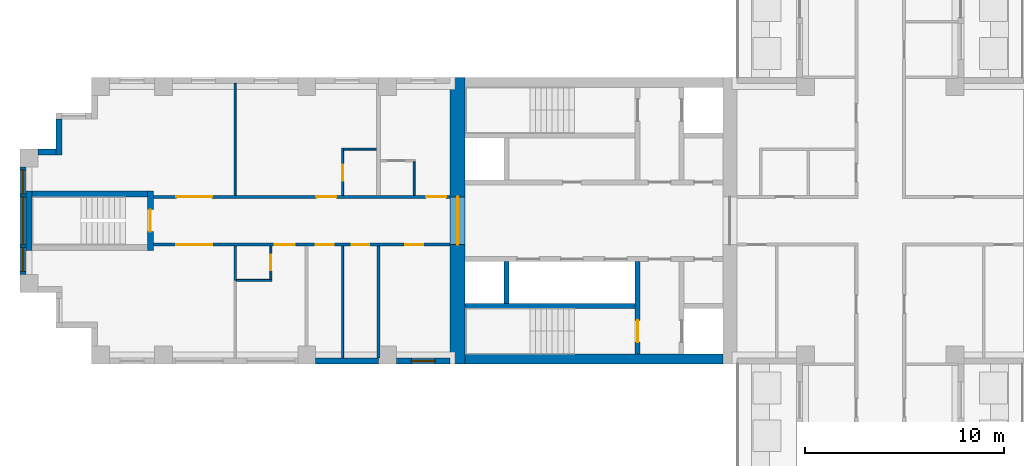
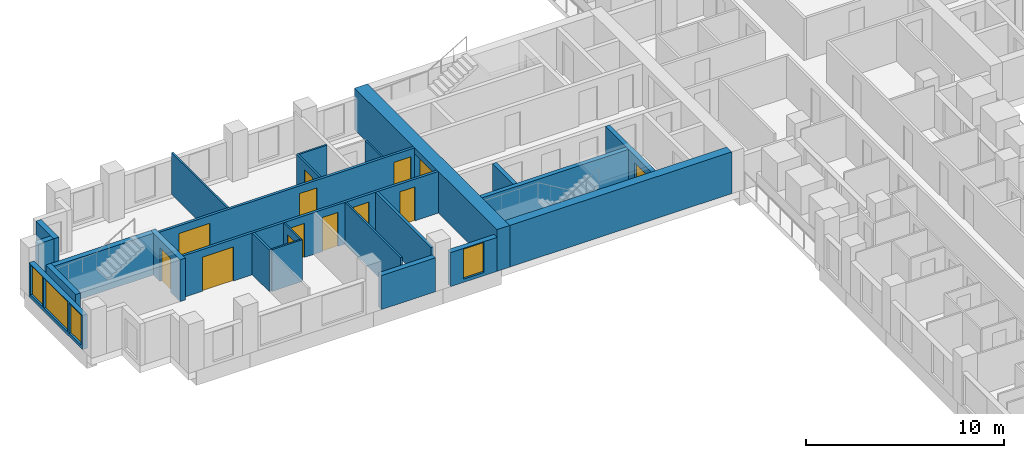
# One storey, part 6 of 14: 24 walls, 13 doors, 4 windows, 17 openings.
"""IFC4 building model written with IfcOpenShell, lengths in metres."""

from ifc_helpers import new_model, si_unit, direction, frame, frame_2d, origin, place, context, subcontext, project, spatial, rectangle, extrude, material, layer, layer_set, type_object, element, fill, save


model = new_model("IFC4")

# Units and contexts
model_context = context("Model", 3, precision=1e-05, world=origin(), true_north=direction((0.0, 1.0)))
body_context = subcontext(model_context, "Body", "Model", "MODEL_VIEW")
ifc_project = project(units=[si_unit("LENGTHUNIT", "METRE"), si_unit("AREAUNIT", "SQUARE_METRE"), si_unit("VOLUMEUNIT", "CUBIC_METRE"), si_unit("PLANEANGLEUNIT", "RADIAN"), si_unit("MASSUNIT", "GRAM", prefix="KILO")], contexts=[model_context])

# Site, building, storey
site_placement = place(None, origin())
site = spatial("IfcSite", under=ifc_project, at=site_placement, CompositionType="ELEMENT")
building_placement = place(site_placement, origin())
building = spatial("IfcBuilding", under=site, at=building_placement, Name="Fustian Cross Tower", CompositionType="ELEMENT")
storey_placement = place(building_placement, frame((0.0, 0.0, 69.89990234375)))
storey = spatial("IfcBuildingStorey", under=building, at=storey_placement, Name="L21", CompositionType="ELEMENT", Elevation=69.89990234375)

# Wall, openings, doors
ifc_material_1 = material(Name="Plasterboard on steel stud", Category="steel")
ifc_layer_1 = layer(ifc_material_1, 0.14990234375)
ifc_layer_set_1 = layer_set([ifc_layer_1], Name="Plasterboard on steel stud")
wall_type_1 = type_object("IfcWallType", Name="COMPARTMENT WALL 150 EI 60", PredefinedType="PARTITIONING", material=ifc_layer_set_1)
wall_1_placement = place(storey_placement, frame((-36.5, -1.199951171875, 0.0), z_axis=(0.0, 0.0, 1.0), x_axis=(1.0, 0.0, 0.0)))
wall_1 = element("IfcWall", 1, at=wall_1_placement, inside=storey, type_object=wall_type_1, Name="Partition 1", PredefinedType="PARTITIONING", context=body_context, shape_type="SweptSolid", body=[
    extrude(rectangle(XDim=14.89990234375, YDim=0.14990234375, at=frame_2d((7.449951171875, 0.0))), origin(), (0.0, 0.0, 1.0), 2.5751953125),
])
opening_1_placement = place(wall_1_placement, frame((12.64990234375, 0.0, 0.0)))
opening_1 = element("IfcOpeningElement", 2, at=opening_1_placement, cuts=wall_1, Name="Opening D11025", PredefinedType="OPENING", context=body_context, shape_type="SweptSolid", body=[
    extrude(rectangle(XDim=0.89990234375, YDim=2.10009765625, at=frame_2d((0.449951171875, 1.050048828125))), frame((0.0, 0.0849609375, 0.0), z_axis=(0.0, -1.0, 0.0), x_axis=(1.0, 0.0, 0.0)), (0.0, 0.0, 1.0), 0.169921875),
])
opening_2_placement = place(wall_1_placement, frame((9.949951171875, 0.0, 0.0)))
opening_2 = element("IfcOpeningElement", 3, at=opening_2_placement, cuts=wall_1, Name="Opening D11026", PredefinedType="OPENING", context=body_context, shape_type="SweptSolid", body=[
    extrude(rectangle(XDim=0.89990234375, YDim=2.10009765625, at=frame_2d((0.449951171875, 1.050048828125))), frame((0.0, 0.0849609375, 0.0), z_axis=(0.0, -1.0, 0.0), x_axis=(1.0, 0.0, 0.0)), (0.0, 0.0, 1.0), 0.169921875),
])
opening_3_placement = place(wall_1_placement, frame((8.14990234375, 0.0, 0.0)))
opening_3 = element("IfcOpeningElement", 4, at=opening_3_placement, cuts=wall_1, Name="Opening D11027", PredefinedType="OPENING", context=body_context, shape_type="SweptSolid", body=[
    extrude(rectangle(XDim=0.89990234375, YDim=2.10009765625, at=frame_2d((0.449951171875, 1.050048828125))), frame((0.0, 0.0849609375, 0.0), z_axis=(0.0, -1.0, 0.0), x_axis=(1.0, 0.0, 0.0)), (0.0, 0.0, 1.0), 0.169921875),
])
opening_4_placement = place(wall_1_placement, frame((6.10009765625, 0.0, 0.0)))
opening_4 = element("IfcOpeningElement", 5, at=opening_4_placement, cuts=wall_1, Name="Opening D11029", PredefinedType="OPENING", context=body_context, shape_type="SweptSolid", body=[
    extrude(rectangle(XDim=1.0, YDim=2.10009765625, at=frame_2d((0.5, 1.050048828125))), frame((0.0, 0.0849609375, 0.0), z_axis=(0.0, -1.0, 0.0), x_axis=(1.0, 0.0, 0.0)), (0.0, 0.0, 1.0), 0.169921875),
])
opening_5_placement = place(wall_1_placement, frame((1.14990234375, 0.0, 0.0)))
opening_5 = element("IfcOpeningElement", 6, at=opening_5_placement, cuts=wall_1, Name="Opening D11030", PredefinedType="OPENING", context=body_context, shape_type="SweptSolid", body=[
    extrude(rectangle(XDim=1.800048828125, YDim=2.10009765625, at=frame_2d((0.89990234375, 1.050048828125))), frame((0.0, 0.0849609375, 0.0), z_axis=(0.0, -1.0, 0.0), x_axis=(1.0, 0.0, 0.0)), (0.0, 0.0, 1.0), 0.169921875),
])
ifc_material_2 = material(Name="Timber fire door set", Category="wood")
door_type_1 = type_object("IfcDoorType", Name="FIRE DOUBLE DOOR 1800 FD30S", OperationType="DOUBLE_DOOR_DOUBLE_SWING", PredefinedType="DOOR", material=ifc_material_2)
door_1_placement = place(opening_5_placement, origin())
door_1 = element("IfcDoor", 7, at=door_1_placement, inside=storey, type_object=door_type_1, Name="Door D11030", OperationType="DOUBLE_DOOR_DOUBLE_SWING", OverallHeight=2.10009765625, OverallWidth=1.800048828125, PredefinedType="DOOR", context=body_context, shape_type="SweptSolid", body=[
    extrude(rectangle(XDim=1.800048828125, YDim=2.10009765625, at=frame_2d((0.89990234375, 1.050048828125))), frame((0.0, 0.02490234375, 0.0), z_axis=(0.0, -1.0, 0.0), x_axis=(1.0, 0.0, 0.0)), (0.0, 0.0, 1.0), 0.050048828125),
])
fill(opening_5, door_1)
ifc_material_3 = material(Name="Timber fire door set", Category="wood")
door_type_2 = type_object("IfcDoorType", Name="FIRE SWING DOOR 1000 FD30S", OperationType="SINGLE_SWING_LEFT", PredefinedType="DOOR", material=ifc_material_3)
door_2_placement = place(opening_4_placement, frame((1.0, 0.0, 0.0), z_axis=(0.0, 0.0, 1.0), x_axis=(-1.0, 0.0, 0.0)))
door_2 = element("IfcDoor", 8, at=door_2_placement, inside=storey, type_object=door_type_2, Name="Door D11029", OperationType="SINGLE_SWING_RIGHT", OverallHeight=2.10009765625, OverallWidth=1.0, PredefinedType="DOOR", context=body_context, shape_type="SweptSolid", body=[
    extrude(rectangle(XDim=1.0, YDim=2.10009765625, at=frame_2d((0.5, 1.050048828125))), frame((0.0, 0.02490234375, 0.0), z_axis=(0.0, -1.0, 0.0), x_axis=(1.0, 0.0, 0.0)), (0.0, 0.0, 1.0), 0.050048828125),
])
fill(opening_4, door_2)
ifc_material_4 = material(Name="Timber fire door set", Category="wood")
door_type_3 = type_object("IfcDoorType", Name="FIRE SWING DOOR 900 FD30S", OperationType="SINGLE_SWING_LEFT", PredefinedType="DOOR", material=ifc_material_4)
door_3_placement = place(opening_1_placement, frame((0.89990234375, 0.0, 0.0), z_axis=(0.0, 0.0, 1.0), x_axis=(-1.0, 0.0, 0.0)))
door_3 = element("IfcDoor", 9, at=door_3_placement, inside=storey, type_object=door_type_3, Name="Door D11025", OperationType="SINGLE_SWING_RIGHT", OverallHeight=2.10009765625, OverallWidth=0.89990234375, PredefinedType="DOOR", context=body_context, shape_type="SweptSolid", body=[
    extrude(rectangle(XDim=0.89990234375, YDim=2.10009765625, at=frame_2d((0.449951171875, 1.050048828125))), frame((0.0, 0.02490234375, 0.0), z_axis=(0.0, -1.0, 0.0), x_axis=(1.0, 0.0, 0.0)), (0.0, 0.0, 1.0), 0.050048828125),
])
fill(opening_1, door_3)
door_4_placement = place(opening_2_placement, frame((0.89990234375, 0.0, 0.0), z_axis=(0.0, 0.0, 1.0), x_axis=(-1.0, 0.0, 0.0)))
door_4 = element("IfcDoor", 10, at=door_4_placement, inside=storey, type_object=door_type_3, Name="Door D11026", OperationType="SINGLE_SWING_LEFT", OverallHeight=2.10009765625, OverallWidth=0.89990234375, PredefinedType="DOOR", context=body_context, shape_type="SweptSolid", body=[
    extrude(rectangle(XDim=0.89990234375, YDim=2.10009765625, at=frame_2d((0.449951171875, 1.050048828125))), frame((0.0, 0.02490234375, 0.0), z_axis=(0.0, -1.0, 0.0), x_axis=(1.0, 0.0, 0.0)), (0.0, 0.0, 1.0), 0.050048828125),
])
fill(opening_2, door_4)
door_5_placement = place(opening_3_placement, frame((0.89990234375, 0.0, 0.0), z_axis=(0.0, 0.0, 1.0), x_axis=(-1.0, 0.0, 0.0)))
door_5 = element("IfcDoor", 11, at=door_5_placement, inside=storey, type_object=door_type_3, Name="Door D11027", OperationType="SINGLE_SWING_LEFT", OverallHeight=2.10009765625, OverallWidth=0.89990234375, PredefinedType="DOOR", context=body_context, shape_type="SweptSolid", body=[
    extrude(rectangle(XDim=0.89990234375, YDim=2.10009765625, at=frame_2d((0.449951171875, 1.050048828125))), frame((0.0, 0.02490234375, 0.0), z_axis=(0.0, -1.0, 0.0), x_axis=(1.0, 0.0, 0.0)), (0.0, 0.0, 1.0), 0.050048828125),
])
fill(opening_3, door_5)

wall_2_placement = place(storey_placement, frame((-36.5, 1.199951171875, 0.0), z_axis=(0.0, 0.0, 1.0), x_axis=(1.0, 0.0, 0.0)))
wall_2 = element("IfcWall", 12, at=wall_2_placement, inside=storey, type_object=wall_type_1, Name="Partition 2", PredefinedType="PARTITIONING", context=body_context, shape_type="SweptSolid", body=[
    extrude(rectangle(XDim=14.89990234375, YDim=0.14990234375, at=frame_2d((7.449951171875, 0.0))), origin(), (0.0, 0.0, 1.0), 2.5751953125),
])
opening_6_placement = place(wall_2_placement, frame((13.699951171875, 0.0, 0.0)))
opening_6 = element("IfcOpeningElement", 13, at=opening_6_placement, cuts=wall_2, Name="Opening D11032", PredefinedType="OPENING", context=body_context, shape_type="SweptSolid", body=[
    extrude(rectangle(XDim=1.0, YDim=2.10009765625, at=frame_2d((0.5, 1.050048828125))), frame((0.0, 0.0849609375, 0.0), z_axis=(0.0, -1.0, 0.0), x_axis=(1.0, 0.0, 0.0)), (0.0, 0.0, 1.0), 0.169921875),
])
opening_7_placement = place(wall_2_placement, frame((8.18994140625, 0.0, 0.0)))
opening_7 = element("IfcOpeningElement", 14, at=opening_7_placement, cuts=wall_2, Name="Opening D11034", PredefinedType="OPENING", context=body_context, shape_type="SweptSolid", body=[
    extrude(rectangle(XDim=1.0, YDim=2.10009765625, at=frame_2d((0.5, 1.050048828125))), frame((0.0, 0.0849609375, 0.0), z_axis=(0.0, -1.0, 0.0), x_axis=(1.0, 0.0, 0.0)), (0.0, 0.0, 1.0), 0.169921875),
])
opening_8_placement = place(wall_2_placement, frame((1.14990234375, 0.0, 0.0)))
opening_8 = element("IfcOpeningElement", 15, at=opening_8_placement, cuts=wall_2, Name="Opening D11035", PredefinedType="OPENING", context=body_context, shape_type="SweptSolid", body=[
    extrude(rectangle(XDim=1.800048828125, YDim=2.10009765625, at=frame_2d((0.89990234375, 1.050048828125))), frame((0.0, 0.0849609375, 0.0), z_axis=(0.0, -1.0, 0.0), x_axis=(1.0, 0.0, 0.0)), (0.0, 0.0, 1.0), 0.169921875),
])
door_6_placement = place(opening_8_placement, frame((1.800048828125, 0.0, 0.0), z_axis=(0.0, 0.0, 1.0), x_axis=(-1.0, 0.0, 0.0)))
door_6 = element("IfcDoor", 16, at=door_6_placement, inside=storey, type_object=door_type_1, Name="Door D11035", OperationType="DOUBLE_DOOR_DOUBLE_SWING", OverallHeight=2.10009765625, OverallWidth=1.800048828125, PredefinedType="DOOR", context=body_context, shape_type="SweptSolid", body=[
    extrude(rectangle(XDim=1.800048828125, YDim=2.10009765625, at=frame_2d((0.89990234375, 1.050048828125))), frame((0.0, 0.02490234375, 0.0), z_axis=(0.0, -1.0, 0.0), x_axis=(1.0, 0.0, 0.0)), (0.0, 0.0, 1.0), 0.050048828125),
])
fill(opening_8, door_6)
door_7_placement = place(opening_6_placement, origin())
door_7 = element("IfcDoor", 17, at=door_7_placement, inside=storey, type_object=door_type_2, Name="Door D11032", OperationType="SINGLE_SWING_RIGHT", OverallHeight=2.10009765625, OverallWidth=1.0, PredefinedType="DOOR", context=body_context, shape_type="SweptSolid", body=[
    extrude(rectangle(XDim=1.0, YDim=2.10009765625, at=frame_2d((0.5, 1.050048828125))), frame((0.0, 0.02490234375, 0.0), z_axis=(0.0, -1.0, 0.0), x_axis=(1.0, 0.0, 0.0)), (0.0, 0.0, 1.0), 0.050048828125),
])
fill(opening_6, door_7)
door_8_placement = place(opening_7_placement, origin())
door_8 = element("IfcDoor", 18, at=door_8_placement, inside=storey, type_object=door_type_2, Name="Door D11034", OperationType="SINGLE_SWING_RIGHT", OverallHeight=2.10009765625, OverallWidth=1.0, PredefinedType="DOOR", context=body_context, shape_type="SweptSolid", body=[
    extrude(rectangle(XDim=1.0, YDim=2.10009765625, at=frame_2d((0.5, 1.050048828125))), frame((0.0, 0.02490234375, 0.0), z_axis=(0.0, -1.0, 0.0), x_axis=(1.0, 0.0, 0.0)), (0.0, 0.0, 1.0), 0.050048828125),
])
fill(opening_7, door_8)

# Wall
wall_3_placement = place(storey_placement, frame((-25.199951171875, -6.89990234375, 0.0), z_axis=(0.0, 0.0, 1.0), x_axis=(0.0, 1.0, 0.0)))
element("IfcWall", 19, at=wall_3_placement, inside=storey, type_object=wall_type_1, Name="Partition 12", PredefinedType="PARTITIONING", context=body_context, shape_type="SweptSolid", body=[
    extrude(rectangle(XDim=5.625, YDim=0.14990234375, at=frame_2d((2.8125, 0.0))), origin(), (0.0, 0.0, 1.0), 2.5751953125),
])

# Wall, opening, door
ifc_material_5 = material(Name="Concrete C70/85", Category="concrete")
ifc_layer_2 = layer(ifc_material_5, 0.75)
ifc_layer_set_2 = layer_set([ifc_layer_2], Name="Concrete C70/85")
wall_type_2 = type_object("IfcWallType", Name="CORE END WALL 750 C70/85", PredefinedType="SHEAR", material=ifc_layer_set_2)
wall_4_placement = place(storey_placement, frame((-21.22509765625, -7.199951171875, 0.0), z_axis=(0.0, 0.0, 1.0), x_axis=(0.0, 1.0, 0.0)))
wall_4 = element("IfcWall", 20, at=wall_4_placement, inside=storey, type_object=wall_type_2, Name="Core end wall", PredefinedType="SHEAR", context=body_context, shape_type="SweptSolid", body=[
    extrude(rectangle(XDim=14.39990234375, YDim=0.75, at=frame_2d((7.199951171875, 0.0))), origin(), (0.0, 0.0, 1.0), 2.5751953125),
])
opening_9_placement = place(wall_4_placement, frame((6.0, 0.0, 0.0)))
opening_9 = element("IfcOpeningElement", 21, at=opening_9_placement, cuts=wall_4, Name="Opening CD-09-27", PredefinedType="OPENING", context=body_context, shape_type="SweptSolid", body=[
    extrude(rectangle(XDim=2.39990234375, YDim=2.199951171875, at=frame_2d((1.199951171875, 1.10009765625))), frame((0.0, 0.385009765625, 0.0), z_axis=(0.0, -1.0, 0.0), x_axis=(1.0, 0.0, 0.0)), (0.0, 0.0, 1.0), 0.77001953125),
])
ifc_material_6 = material(Name="Steel", Category="steel")
door_type_4 = type_object("IfcDoorType", Name="FIRE DOOR FD30S DOUBLE 2400X2200", OperationType="DOUBLE_DOOR_DOUBLE_SWING", PredefinedType="DOOR", material=ifc_material_6)
door_9_placement = place(opening_9_placement, frame((2.39990234375, 0.0, 0.0), z_axis=(0.0, 0.0, 1.0), x_axis=(-1.0, 0.0, 0.0)))
door_9 = element("IfcDoor", 22, at=door_9_placement, inside=storey, type_object=door_type_4, Name="Core door CD-09-27", OperationType="DOUBLE_DOOR_DOUBLE_SWING", OverallHeight=2.199951171875, OverallWidth=2.39990234375, PredefinedType="DOOR", context=body_context, shape_type="SweptSolid", body=[
    extrude(rectangle(XDim=2.39990234375, YDim=2.199951171875, at=frame_2d((1.199951171875, 1.10009765625))), frame((0.0, 0.02490234375, 0.0), z_axis=(0.0, -1.0, 0.0), x_axis=(1.0, 0.0, 0.0)), (0.0, 0.0, 1.0), 0.050048828125),
])
fill(opening_9, door_9)

# Walls
ifc_material_7 = material(Name="Concrete C70/85", Category="concrete")
ifc_layer_3 = layer(ifc_material_7, 0.5)
ifc_layer_set_3 = layer_set([ifc_layer_3], Name="Concrete C70/85")
wall_type_3 = type_object("IfcWallType", Name="CORE FACADE WALL 500 C70/85", PredefinedType="SHEAR", material=ifc_layer_set_3)
wall_5_placement = place(storey_placement, frame((-7.89990234375, -6.949951171875, 0.0), z_axis=(0.0, 0.0, 1.0), x_axis=(-1.0, 0.0, 0.0)))
element("IfcWall", 23, at=wall_5_placement, inside=storey, type_object=wall_type_3, Name="Core facade wall", PredefinedType="SHEAR", context=body_context, shape_type="SweptSolid", body=[
    extrude(rectangle(XDim=12.9501953125, YDim=0.5, at=frame_2d((6.47509765625, 0.0))), origin(), (0.0, 0.0, 1.0), 2.5751953125),
])
ifc_material_8 = material(Name="Concrete C50/60", Category="concrete")
ifc_layer_4 = layer(ifc_material_8, 0.25)
ifc_layer_set_4 = layer_set([ifc_layer_4], Name="Concrete C50/60")
wall_type_4 = type_object("IfcWallType", Name="CORE SHAFT WALL 250 C50/60", PredefinedType="SHEAR", material=ifc_layer_set_4)
wall_6_placement = place(storey_placement, frame((-12.300048828125, -4.27490234375, 0.0), z_axis=(0.0, 0.0, 1.0), x_axis=(-1.0, 0.0, 0.0)))
element("IfcWall", 24, at=wall_6_placement, inside=storey, type_object=wall_type_4, Name="Core shaft wall", PredefinedType="SHEAR", context=body_context, shape_type="SweptSolid", body=[
    extrude(rectangle(XDim=8.550048828125, YDim=0.25, at=frame_2d((4.27490234375, 0.0))), origin(), (0.0, 0.0, 1.0), 2.5751953125),
])

# Wall, opening, door
wall_7_placement = place(storey_placement, frame((-12.175048828125, -2.050048828125, 0.0), z_axis=(0.0, 0.0, 1.0), x_axis=(0.0, -1.0, 0.0)))
wall_7 = element("IfcWall", 25, at=wall_7_placement, inside=storey, type_object=wall_type_4, Name="Core shaft wall", PredefinedType="SHEAR", context=body_context, shape_type="SweptSolid", body=[
    extrude(rectangle(XDim=4.64990234375, YDim=0.25, at=frame_2d((2.324951171875, 0.0))), origin(), (0.0, 0.0, 1.0), 2.5751953125),
])
opening_10_placement = place(wall_7_placement, frame((2.949951171875, 0.0, 0.0)))
opening_10 = element("IfcOpeningElement", 26, at=opening_10_placement, cuts=wall_7, Name="Opening CD-09-21", PredefinedType="OPENING", context=body_context, shape_type="SweptSolid", body=[
    extrude(rectangle(XDim=1.10009765625, YDim=2.10009765625, at=frame_2d((0.550048828125, 1.050048828125))), frame((0.0, 0.135009765625, 0.0), z_axis=(0.0, -1.0, 0.0), x_axis=(1.0, 0.0, 0.0)), (0.0, 0.0, 1.0), 0.27001953125),
])
ifc_material_9 = material(Name="Steel", Category="steel")
door_type_5 = type_object("IfcDoorType", Name="FIRE DOOR FD60S 1100X2100", OperationType="SINGLE_SWING_LEFT", PredefinedType="DOOR", material=ifc_material_9)
door_10_placement = place(opening_10_placement, frame((1.10009765625, 0.0, 0.0), z_axis=(0.0, 0.0, 1.0), x_axis=(-1.0, 0.0, 0.0)))
door_10 = element("IfcDoor", 27, at=door_10_placement, inside=storey, type_object=door_type_5, Name="Core door CD-09-21", OperationType="SINGLE_SWING_RIGHT", OverallHeight=2.10009765625, OverallWidth=1.10009765625, PredefinedType="DOOR", context=body_context, shape_type="SweptSolid", body=[
    extrude(rectangle(XDim=1.10009765625, YDim=2.10009765625, at=frame_2d((0.550048828125, 1.050048828125))), frame((0.0, 0.02490234375, 0.0), z_axis=(0.0, -1.0, 0.0), x_axis=(1.0, 0.0, 0.0)), (0.0, 0.0, 1.0), 0.050048828125),
])
fill(opening_10, door_10)

# Walls
ifc_material_10 = material(Name="Plasterboard on steel stud", Category="steel")
ifc_layer_5 = layer(ifc_material_10, 0.10009765625)
ifc_layer_set_5 = layer_set([ifc_layer_5], Name="Plasterboard on steel stud")
wall_type_5 = type_object("IfcWallType", Name="PARTITION 100 STUD", PredefinedType="PARTITIONING", material=ifc_layer_set_5)
wall_8_placement = place(storey_placement, frame((-32.33740234375, -3.0, 0.0), z_axis=(0.0, 0.0, 1.0), x_axis=(1.0, 0.0, 0.0)))
element("IfcWall", 28, at=wall_8_placement, inside=storey, type_object=wall_type_5, Name="Partition 5", PredefinedType="PARTITIONING", context=body_context, shape_type="SweptSolid", body=[
    extrude(rectangle(XDim=1.787353515625, YDim=0.10009765625, at=frame_2d((0.8935546875, 0.0))), origin(), (0.0, 0.0, 1.0), 2.5751953125),
])
wall_9_placement = place(storey_placement, frame((-32.39990234375, 1.27490234375, 0.0), z_axis=(0.0, 0.0, 1.0), x_axis=(0.0, 1.0, 0.0)))
element("IfcWall", 29, at=wall_9_placement, inside=storey, type_object=wall_type_5, Name="Partition 6", PredefinedType="PARTITIONING", context=body_context, shape_type="SweptSolid", body=[
    extrude(rectangle(XDim=5.625, YDim=0.10009765625, at=frame_2d((2.8125, 0.0))), origin(), (0.0, 0.0, 1.0), 2.5751953125),
])

# Wall, opening, door
wall_10_placement = place(storey_placement, frame((-30.60009765625, -2.949951171875, 0.0), z_axis=(0.0, 0.0, 1.0), x_axis=(0.0, 1.0, 0.0)))
wall_10 = element("IfcWall", 30, at=wall_10_placement, inside=storey, type_object=wall_type_5, Name="Partition 7", PredefinedType="PARTITIONING", context=body_context, shape_type="SweptSolid", body=[
    extrude(rectangle(XDim=1.675048828125, YDim=0.10009765625, at=frame_2d((0.83740234375, 0.0))), origin(), (0.0, 0.0, 1.0), 2.5751953125),
])
opening_11_placement = place(wall_10_placement, frame((0.449951171875, 0.0, 0.0)))
opening_11 = element("IfcOpeningElement", 31, at=opening_11_placement, cuts=wall_10, Name="Opening D11028", PredefinedType="OPENING", context=body_context, shape_type="SweptSolid", body=[
    extrude(rectangle(XDim=0.800048828125, YDim=2.10009765625, at=frame_2d((0.39990234375, 1.050048828125))), frame((0.0, 0.06005859375, 0.0), z_axis=(0.0, -1.0, 0.0), x_axis=(1.0, 0.0, 0.0)), (0.0, 0.0, 1.0), 0.1201171875),
])
ifc_material_11 = material(Name="Painted timber", Category="wood")
door_type_6 = type_object("IfcDoorType", Name="SWING DOOR 800", OperationType="SINGLE_SWING_LEFT", PredefinedType="DOOR", material=ifc_material_11)
door_11_placement = place(opening_11_placement, origin())
door_11 = element("IfcDoor", 32, at=door_11_placement, inside=storey, type_object=door_type_6, Name="Door D11028", OperationType="SINGLE_SWING_RIGHT", OverallHeight=2.10009765625, OverallWidth=0.800048828125, PredefinedType="DOOR", context=body_context, shape_type="SweptSolid", body=[
    extrude(rectangle(XDim=0.800048828125, YDim=2.10009765625, at=frame_2d((0.39990234375, 1.050048828125))), frame((0.0, 0.02490234375, 0.0), z_axis=(0.0, -1.0, 0.0), x_axis=(1.0, 0.0, 0.0)), (0.0, 0.0, 1.0), 0.050048828125),
])
fill(opening_11, door_11)

# Wall
wall_11_placement = place(storey_placement, frame((-27.0, -6.89990234375, 0.0), z_axis=(0.0, 0.0, 1.0), x_axis=(0.0, 1.0, 0.0)))
element("IfcWall", 33, at=wall_11_placement, inside=storey, type_object=wall_type_5, Name="Partition 9", PredefinedType="PARTITIONING", context=body_context, shape_type="SweptSolid", body=[
    extrude(rectangle(XDim=5.625, YDim=0.10009765625, at=frame_2d((2.8125, 0.0))), origin(), (0.0, 0.0, 1.0), 2.5751953125),
])

# Wall, opening, door
wall_12_placement = place(storey_placement, frame((-27.0, 1.27490234375, 0.0), z_axis=(0.0, 0.0, 1.0), x_axis=(0.0, 1.0, 0.0)))
wall_12 = element("IfcWall", 34, at=wall_12_placement, inside=storey, type_object=wall_type_5, Name="Partition 10", PredefinedType="PARTITIONING", context=body_context, shape_type="SweptSolid", body=[
    extrude(rectangle(XDim=2.375, YDim=0.10009765625, at=frame_2d((1.1875, 0.0))), origin(), (0.0, 0.0, 1.0), 2.5751953125),
])
opening_12_placement = place(wall_12_placement, frame((0.72509765625, 0.0, 0.0)))
opening_12 = element("IfcOpeningElement", 35, at=opening_12_placement, cuts=wall_12, Name="Opening D11033", PredefinedType="OPENING", context=body_context, shape_type="SweptSolid", body=[
    extrude(rectangle(XDim=0.800048828125, YDim=2.10009765625, at=frame_2d((0.39990234375, 1.050048828125))), frame((0.0, 0.06005859375, 0.0), z_axis=(0.0, -1.0, 0.0), x_axis=(1.0, 0.0, 0.0)), (0.0, 0.0, 1.0), 0.1201171875),
])
door_12_placement = place(opening_12_placement, frame((0.800048828125, 0.0, 0.0), z_axis=(0.0, 0.0, 1.0), x_axis=(-1.0, 0.0, 0.0)))
door_12 = element("IfcDoor", 36, at=door_12_placement, inside=storey, type_object=door_type_6, Name="Door D11033", OperationType="SINGLE_SWING_RIGHT", OverallHeight=2.10009765625, OverallWidth=0.800048828125, PredefinedType="DOOR", context=body_context, shape_type="SweptSolid", body=[
    extrude(rectangle(XDim=0.800048828125, YDim=2.10009765625, at=frame_2d((0.39990234375, 1.050048828125))), frame((0.0, 0.02490234375, 0.0), z_axis=(0.0, -1.0, 0.0), x_axis=(1.0, 0.0, 0.0)), (0.0, 0.0, 1.0), 0.050048828125),
])
fill(opening_12, door_12)

# Walls
wall_13_placement = place(storey_placement, frame((-26.949951171875, 3.60009765625, 0.0), z_axis=(0.0, 0.0, 1.0), x_axis=(1.0, 0.0, 0.0)))
element("IfcWall", 37, at=wall_13_placement, inside=storey, type_object=wall_type_5, Name="Partition 11", PredefinedType="PARTITIONING", context=body_context, shape_type="SweptSolid", body=[
    extrude(rectangle(XDim=1.64990234375, YDim=0.10009765625, at=frame_2d((0.824951171875, 0.0))), origin(), (0.0, 0.0, 1.0), 2.5751953125),
])
wall_14_placement = place(storey_placement, frame((-23.39990234375, 1.27490234375, 0.0), z_axis=(0.0, 0.0, 1.0), x_axis=(0.0, 1.0, 0.0)))
element("IfcWall", 38, at=wall_14_placement, inside=storey, type_object=wall_type_5, Name="Partition 15", PredefinedType="PARTITIONING", context=body_context, shape_type="SweptSolid", body=[
    extrude(rectangle(XDim=1.675048828125, YDim=0.10009765625, at=frame_2d((0.83740234375, 0.0))), origin(), (0.0, 0.0, 1.0), 2.5751953125),
])
ifc_material_12 = material(Name="Concrete C40/50", Category="concrete")
ifc_layer_6 = layer(ifc_material_12, 0.25)
ifc_layer_set_6 = layer_set([ifc_layer_6], Name="Concrete C40/50")
wall_type_6 = type_object("IfcWallType", Name="SHAFT PARTITION WALL 250 C40/50", PredefinedType="PARTITIONING", material=ifc_layer_set_6)
wall_15_placement = place(storey_placement, frame((-18.77490234375, -2.050048828125, 0.0), z_axis=(0.0, 0.0, 1.0), x_axis=(0.0, -1.0, 0.0)))
element("IfcWall", 39, at=wall_15_placement, inside=storey, type_object=wall_type_6, Name="Core shaft wall", PredefinedType="PARTITIONING", context=body_context, shape_type="SweptSolid", body=[
    extrude(rectangle(XDim=2.099853515625, YDim=0.25, at=frame_2d((1.0498046875, 0.0))), origin(), (0.0, 0.0, 1.0), 2.5751953125),
])

# Wall, opening, door
ifc_material_13 = material(Name="Concrete C50/60", Category="concrete")
ifc_layer_7 = layer(ifc_material_13, 0.300048828125)
ifc_layer_set_7 = layer_set([ifc_layer_7], Name="Concrete C50/60")
wall_type_7 = type_object("IfcWallType", Name="STAIR ENCLOSURE WALL 300 C50/60", PredefinedType="SHEAR", material=ifc_layer_set_7)
wall_16_placement = place(storey_placement, frame((-36.64990234375, -1.5, 0.0), z_axis=(0.0, 0.0, 1.0), x_axis=(0.0, 1.0, 0.0)))
wall_16 = element("IfcWall", 40, at=wall_16_placement, inside=storey, type_object=wall_type_7, Name="Stair enclosure wall", PredefinedType="SHEAR", context=body_context, shape_type="SweptSolid", body=[
    extrude(rectangle(XDim=3.0, YDim=0.300048828125, at=frame_2d((1.5, 0.0))), origin(), (0.0, 0.0, 1.0), 2.5751953125),
])
opening_13_placement = place(wall_16_placement, frame((0.949951171875, 0.0, 0.0)))
opening_13 = element("IfcOpeningElement", 41, at=opening_13_placement, cuts=wall_16, Name="Opening CD-09-31", PredefinedType="OPENING", context=body_context, shape_type="SweptSolid", body=[
    extrude(rectangle(XDim=1.10009765625, YDim=2.10009765625, at=frame_2d((0.550048828125, 1.050048828125))), frame((0.0, 0.159912109375, 0.0), z_axis=(0.0, -1.0, 0.0), x_axis=(1.0, 0.0, 0.0)), (0.0, 0.0, 1.0), 0.320068359375),
])
door_13_placement = place(opening_13_placement, origin())
door_13 = element("IfcDoor", 42, at=door_13_placement, inside=storey, type_object=door_type_5, Name="Core door CD-09-31", OperationType="SINGLE_SWING_LEFT", OverallHeight=2.10009765625, OverallWidth=1.10009765625, PredefinedType="DOOR", context=body_context, shape_type="SweptSolid", body=[
    extrude(rectangle(XDim=1.10009765625, YDim=2.10009765625, at=frame_2d((0.550048828125, 1.050048828125))), frame((0.0, 0.02490234375, 0.0), z_axis=(0.0, -1.0, 0.0), x_axis=(1.0, 0.0, 0.0)), (0.0, 0.0, 1.0), 0.050048828125),
])
fill(opening_13, door_13)

# Walls
wall_17_placement = place(storey_placement, frame((-42.75, -1.5, 0.0), z_axis=(0.0, 0.0, 1.0), x_axis=(0.0, 1.0, 0.0)))
element("IfcWall", 43, at=wall_17_placement, inside=storey, type_object=wall_type_7, Name="Stair enclosure wall", PredefinedType="SHEAR", context=body_context, shape_type="SweptSolid", body=[
    extrude(rectangle(XDim=3.0, YDim=0.300048828125, at=frame_2d((1.5, 0.0))), origin(), (0.0, 0.0, 1.0), 2.5751953125),
])
wall_18_placement = place(storey_placement, frame((-36.800048828125, 1.35009765625, 0.0), z_axis=(0.0, 0.0, 1.0), x_axis=(-1.0, 0.0, 0.0)))
element("IfcWall", 44, at=wall_18_placement, inside=storey, type_object=wall_type_7, Name="Stair enclosure wall", PredefinedType="SHEAR", context=body_context, shape_type="SweptSolid", body=[
    extrude(rectangle(XDim=5.800048828125, YDim=0.300048828125, at=frame_2d((2.89990234375, 0.0))), origin(), (0.0, 0.0, 1.0), 2.5751953125),
])
ifc_material_14 = material(Name="Plasterboard on steel stud", Category="steel")
ifc_layer_8 = layer(ifc_material_14, 0.125)
ifc_layer_set_8 = layer_set([ifc_layer_8], Name="Plasterboard on steel stud")
wall_type_8 = type_object("IfcWallType", Name="WET WALL 125 STUD", PredefinedType="PARTITIONING", material=ifc_layer_set_8)
wall_19_placement = place(storey_placement, frame((-32.39990234375, -3.0, 0.0), z_axis=(0.0, 0.0, 1.0), x_axis=(0.0, 1.0, 0.0)))
element("IfcWall", 45, at=wall_19_placement, inside=storey, type_object=wall_type_8, Name="Partition 4", PredefinedType="PARTITIONING", context=body_context, shape_type="SweptSolid", body=[
    extrude(rectangle(XDim=1.72509765625, YDim=0.125, at=frame_2d((0.862548828125, 0.0))), origin(), (0.0, 0.0, 1.0), 2.5751953125),
])
ifc_material_15 = material(Name="Dark aluminium cladding on insulated backing wall", Category="aluminium")
ifc_layer_9 = layer(ifc_material_15, 0.300048828125)
ifc_layer_set_9 = layer_set([ifc_layer_9], Name="Dark aluminium cladding on insulated backing wall")
wall_type_9 = type_object("IfcWallType", Name="XW1 EXTERNAL WALL 300", PredefinedType="SOLIDWALL", material=ifc_layer_set_9)
wall_20_placement = place(storey_placement, frame((-41.25, 5.10009765625, 0.0), z_axis=(0.0, 0.0, 1.0), x_axis=(0.0, -1.0, 0.0)))
element("IfcWall", 46, at=wall_20_placement, inside=storey, type_object=wall_type_9, Name="External wall", PredefinedType="SOLIDWALL", context=body_context, shape_type="SweptSolid", body=[
    extrude(rectangle(XDim=1.800048828125, YDim=0.300048828125, at=frame_2d((0.89990234375, 0.0))), origin(), (0.0, 0.0, 1.0), 2.5751953125),
])
wall_21_placement = place(storey_placement, frame((-41.39990234375, 3.449951171875, 0.0), z_axis=(0.0, 0.0, 1.0), x_axis=(-1.0, 0.0, 0.0)))
element("IfcWall", 47, at=wall_21_placement, inside=storey, type_object=wall_type_9, Name="External wall", PredefinedType="SOLIDWALL", context=body_context, shape_type="SweptSolid", body=[
    extrude(rectangle(XDim=0.900146484375, YDim=0.300048828125, at=frame_2d((0.4501953125, 0.0))), origin(), (0.0, 0.0, 1.0), 2.5751953125),
])

# Wall, openings, windows
wall_22_placement = place(storey_placement, frame((-43.050048828125, 2.699951171875, 0.0), z_axis=(0.0, 0.0, 1.0), x_axis=(0.0, -1.0, 0.0)))
wall_22 = element("IfcWall", 48, at=wall_22_placement, inside=storey, type_object=wall_type_9, Name="External wall", PredefinedType="SOLIDWALL", context=body_context, shape_type="SweptSolid", body=[
    extrude(rectangle(XDim=5.39990234375, YDim=0.300048828125, at=frame_2d((2.699951171875, 0.0))), origin(), (0.0, 0.0, 1.0), 2.10009765625),
])
opening_14_placement = place(wall_22_placement, frame((1.5, 0.0, 0.199951171875)))
opening_14 = element("IfcOpeningElement", 49, at=opening_14_placement, cuts=wall_22, Name="Opening WN1", PredefinedType="OPENING", context=body_context, shape_type="SweptSolid", body=[
    extrude(rectangle(XDim=2.39990234375, YDim=1.85009765625, at=frame_2d((1.199951171875, 0.925048828125))), frame((0.0, 0.159912109375, 0.0), z_axis=(0.0, -1.0, 0.0), x_axis=(1.0, 0.0, 0.0)), (0.0, 0.0, 1.0), 0.320068359375),
])
opening_15_placement = place(wall_22_placement, frame((0.14990234375, 0.0, 0.199951171875)))
opening_15 = element("IfcOpeningElement", 50, at=opening_15_placement, cuts=wall_22, Name="Opening WN3", PredefinedType="OPENING", context=body_context, shape_type="SweptSolid", body=[
    extrude(rectangle(XDim=1.199951171875, YDim=1.85009765625, at=frame_2d((0.60009765625, 0.925048828125))), frame((0.0, 0.159912109375, 0.0), z_axis=(0.0, -1.0, 0.0), x_axis=(1.0, 0.0, 0.0)), (0.0, 0.0, 1.0), 0.320068359375),
])
opening_16_placement = place(wall_22_placement, frame((4.050048828125, 0.0, 0.199951171875)))
opening_16 = element("IfcOpeningElement", 51, at=opening_16_placement, cuts=wall_22, Name="Opening WN3", PredefinedType="OPENING", context=body_context, shape_type="SweptSolid", body=[
    extrude(rectangle(XDim=1.199951171875, YDim=1.85009765625, at=frame_2d((0.60009765625, 0.925048828125))), frame((0.0, 0.159912109375, 0.0), z_axis=(0.0, -1.0, 0.0), x_axis=(1.0, 0.0, 0.0)), (0.0, 0.0, 1.0), 0.320068359375),
])
ifc_material_16 = material(Name="Dark anodised aluminium and double glazing", Category="aluminium")
window_type_1 = type_object("IfcWindowType", Name="WN1 WINDOW 2400X1850", PartitioningType="SINGLE_PANEL", PredefinedType="WINDOW", material=ifc_material_16)
window_1_placement = place(opening_14_placement, origin())
window_1 = element("IfcWindow", 52, at=window_1_placement, inside=storey, type_object=window_type_1, Name="Window", OverallHeight=1.85009765625, OverallWidth=2.39990234375, PartitioningType="SINGLE_PANEL", PredefinedType="WINDOW", context=body_context, shape_type="SweptSolid", body=[
    extrude(rectangle(XDim=2.39990234375, YDim=1.85009765625, at=frame_2d((1.199951171875, 0.925048828125))), frame((0.0, 0.030029296875, 0.0), z_axis=(0.0, -1.0, 0.0), x_axis=(1.0, 0.0, 0.0)), (0.0, 0.0, 1.0), 0.06005859375),
])
fill(opening_14, window_1)
ifc_material_17 = material(Name="Dark anodised aluminium and double glazing", Category="aluminium")
window_type_2 = type_object("IfcWindowType", Name="WN3 WINDOW 1200X1850", PartitioningType="SINGLE_PANEL", PredefinedType="WINDOW", material=ifc_material_17)
window_2_placement = place(opening_15_placement, origin())
window_2 = element("IfcWindow", 53, at=window_2_placement, inside=storey, type_object=window_type_2, Name="Window", OverallHeight=1.85009765625, OverallWidth=1.199951171875, PartitioningType="SINGLE_PANEL", PredefinedType="WINDOW", context=body_context, shape_type="SweptSolid", body=[
    extrude(rectangle(XDim=1.199951171875, YDim=1.85009765625, at=frame_2d((0.60009765625, 0.925048828125))), frame((0.0, 0.030029296875, 0.0), z_axis=(0.0, -1.0, 0.0), x_axis=(1.0, 0.0, 0.0)), (0.0, 0.0, 1.0), 0.06005859375),
])
fill(opening_15, window_2)
window_3_placement = place(opening_16_placement, origin())
window_3 = element("IfcWindow", 54, at=window_3_placement, inside=storey, type_object=window_type_2, Name="Window", OverallHeight=1.85009765625, OverallWidth=1.199951171875, PartitioningType="SINGLE_PANEL", PredefinedType="WINDOW", context=body_context, shape_type="SweptSolid", body=[
    extrude(rectangle(XDim=1.199951171875, YDim=1.85009765625, at=frame_2d((0.60009765625, 0.925048828125))), frame((0.0, 0.030029296875, 0.0), z_axis=(0.0, -1.0, 0.0), x_axis=(1.0, 0.0, 0.0)), (0.0, 0.0, 1.0), 0.06005859375),
])
fill(opening_16, window_3)

# Wall
wall_23_placement = place(storey_placement, frame((-28.35009765625, -7.050048828125, 0.0), z_axis=(0.0, 0.0, 1.0), x_axis=(1.0, 0.0, 0.0)))
element("IfcWall", 55, at=wall_23_placement, inside=storey, type_object=wall_type_9, Name="External wall", PredefinedType="SOLIDWALL", context=body_context, shape_type="SweptSolid", body=[
    extrude(rectangle(XDim=3.150146484375, YDim=0.300048828125, at=frame_2d((1.5751953125, 0.0))), origin(), (0.0, 0.0, 1.0), 2.10009765625),
])

# Wall, opening, window
wall_24_placement = place(storey_placement, frame((-24.300048828125, -7.050048828125, 0.0), z_axis=(0.0, 0.0, 1.0), x_axis=(1.0, 0.0, 0.0)))
wall_24 = element("IfcWall", 56, at=wall_24_placement, inside=storey, type_object=wall_type_9, Name="External wall", PredefinedType="SOLIDWALL", context=body_context, shape_type="SweptSolid", body=[
    extrude(rectangle(XDim=2.699951171875, YDim=0.300048828125, at=frame_2d((1.35009765625, 0.0))), origin(), (0.0, 0.0, 1.0), 2.10009765625),
])
opening_17_placement = place(wall_24_placement, frame((0.75, 0.0, 0.199951171875)))
opening_17 = element("IfcOpeningElement", 57, at=opening_17_placement, cuts=wall_24, Name="Opening WN3", PredefinedType="OPENING", context=body_context, shape_type="SweptSolid", body=[
    extrude(rectangle(XDim=1.199951171875, YDim=1.85009765625, at=frame_2d((0.60009765625, 0.925048828125))), frame((0.0, 0.159912109375, 0.0), z_axis=(0.0, -1.0, 0.0), x_axis=(1.0, 0.0, 0.0)), (0.0, 0.0, 1.0), 0.320068359375),
])
window_4_placement = place(opening_17_placement, origin())
window_4 = element("IfcWindow", 58, at=window_4_placement, inside=storey, type_object=window_type_2, Name="Window", OverallHeight=1.85009765625, OverallWidth=1.199951171875, PartitioningType="SINGLE_PANEL", PredefinedType="WINDOW", context=body_context, shape_type="SweptSolid", body=[
    extrude(rectangle(XDim=1.199951171875, YDim=1.85009765625, at=frame_2d((0.60009765625, 0.925048828125))), frame((0.0, 0.030029296875, 0.0), z_axis=(0.0, -1.0, 0.0), x_axis=(1.0, 0.0, 0.0)), (0.0, 0.0, 1.0), 0.06005859375),
])
fill(opening_17, window_4)

save(model, "model.ifc")
